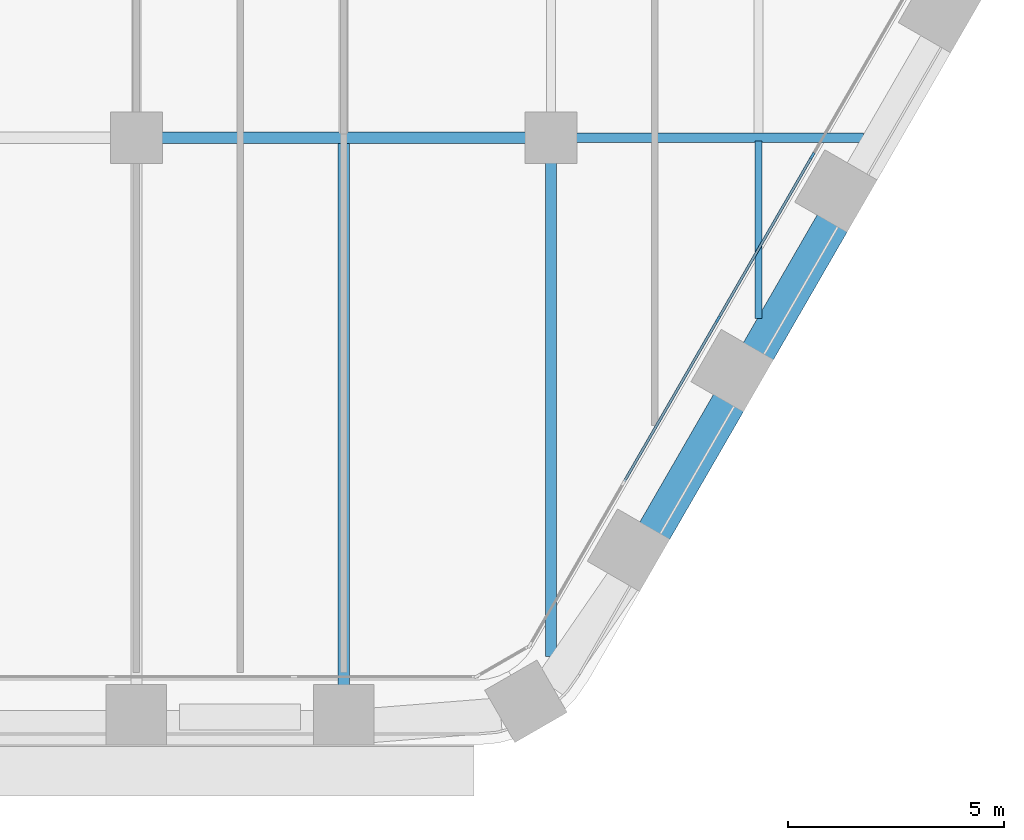
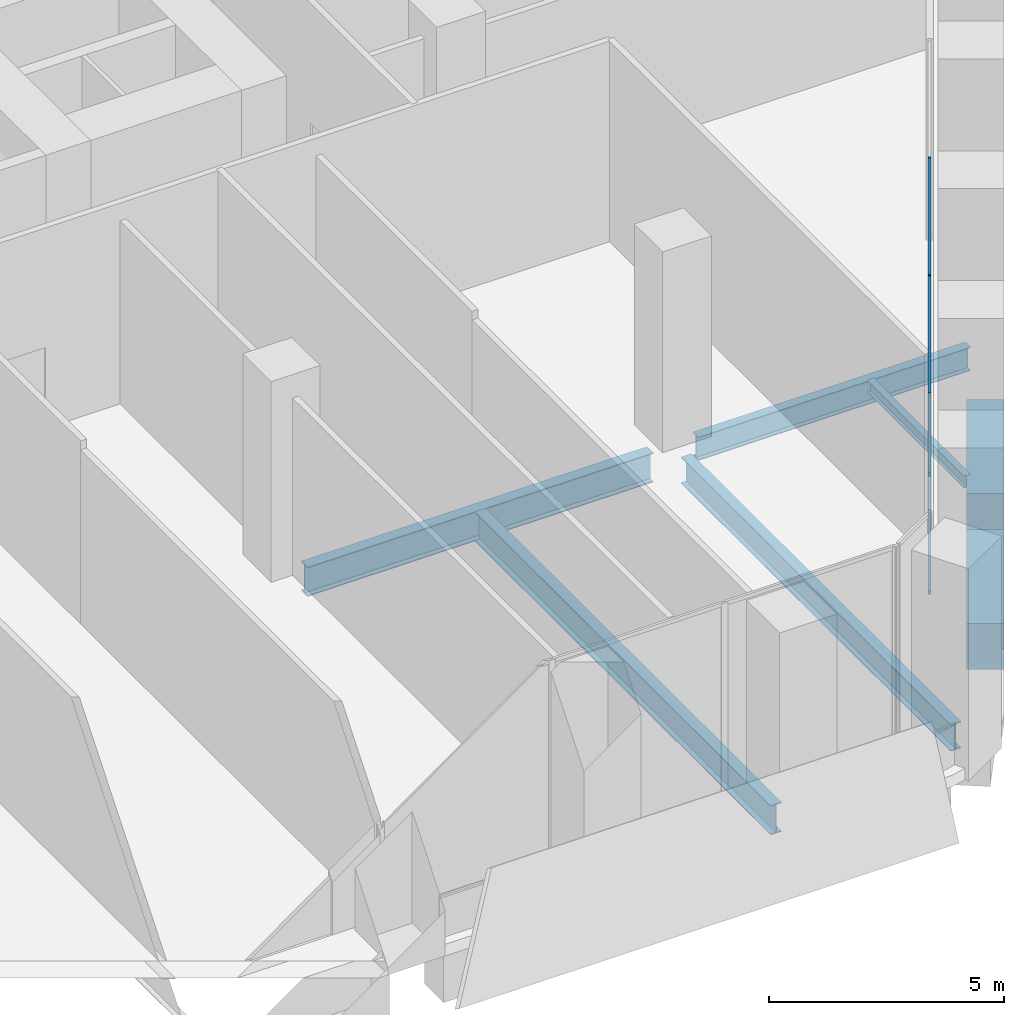
# One storey, part 5 of 27: 7 beams, 6 members, 1 element without a shape of its own.
"""IFC4 building model written with IfcOpenShell, lengths in metres."""

from ifc_helpers import new_model, si_unit, direction, frame, origin, origin_2d, place, context, subcontext, project, spatial, rectangle, i_section, extrude, material, material_profile, profile_set, type_object, element, aggregate, save


model = new_model("IFC4")

# Units and contexts
model_context = context("Model", 3, precision=1e-05, world=origin(), true_north=direction((0.0, 1.0)))
body_context = subcontext(model_context, "Body", "Model", "MODEL_VIEW")
ifc_project = project(units=[si_unit("LENGTHUNIT", "METRE"), si_unit("AREAUNIT", "SQUARE_METRE"), si_unit("VOLUMEUNIT", "CUBIC_METRE"), si_unit("PLANEANGLEUNIT", "RADIAN"), si_unit("MASSUNIT", "GRAM", prefix="KILO")], contexts=[model_context])

# Site, building, storey
site_placement = place(None, origin())
site = spatial("IfcSite", under=ifc_project, at=site_placement, CompositionType="ELEMENT")
building_placement = place(site_placement, origin())
building = spatial("IfcBuilding", under=site, at=building_placement, Name="Kolab Exchange Tower", CompositionType="ELEMENT")
storey_placement = place(building_placement, frame((0.0, 0.0, 66.39990234375)))
storey = spatial("IfcBuildingStorey", under=building, at=storey_placement, Name="L12", CompositionType="ELEMENT", Elevation=66.39990234375)

# Beams
ifc_material_1 = material(Name="Steel S355", Category="steel")
ifc_material_profile_1 = material_profile(ifc_material_1, i_section(OverallWidth=0.1650390625, OverallDepth=0.31005859375, WebThickness=0.005859375, FlangeThickness=0.009765625, at=origin_2d()), Name="W310X39")
ifc_profile_set_1 = profile_set([ifc_material_profile_1], Name="Steel S355")
beam_type_1 = type_object("IfcBeamType", Name="FLOOR BEAM W310X39", PredefinedType="BEAM", material=ifc_profile_set_1)
beam_1_placement = place(storey_placement, frame((24.0, -23.381591796875, -0.454833984375), z_axis=(0.0, 1.0, 0.0), x_axis=(-1.0, 0.0, 0.0)))
element("IfcBeam", 1, at=beam_1_placement, inside=storey, type_object=beam_type_1, Name="beam/L12/fr/052", PredefinedType="BEAM", context=body_context, shape_type="SweptSolid", body=[
    extrude(i_section(OverallWidth=0.1650390625, OverallDepth=0.31005859375, WebThickness=0.005859375, FlangeThickness=0.009765625, at=origin_2d()), origin(), (0.0, 0.0, 1.0), 4.107666015625),
])
ifc_material_profile_2 = material_profile(ifc_material_1, i_section(OverallWidth=0.25390625, OverallDepth=0.68408203125, WebThickness=0.012451171875, FlangeThickness=0.018798828125, at=origin_2d()), Name="W690X140")
ifc_profile_set_2 = profile_set([ifc_material_profile_2], Name="Steel S355")
beam_type_2 = type_object("IfcBeamType", Name="FLOOR BEAM W690X140", PredefinedType="BEAM", material=ifc_profile_set_2)
beam_2_placement = place(storey_placement, frame((19.199951171875, -31.214599609375, -0.641845703125), z_axis=(0.0, 1.0, 0.0), x_axis=(-1.0, 0.0, 0.0)))
element("IfcBeam", 2, at=beam_2_placement, inside=storey, type_object=beam_type_2, Name="beam/L12/fr/046", PredefinedType="BEAM", context=body_context, shape_type="SweptSolid", body=[
    extrude(i_section(OverallWidth=0.25390625, OverallDepth=0.68408203125, WebThickness=0.012451171875, FlangeThickness=0.018798828125, at=origin_2d()), origin(), (0.0, 0.0, 1.0), 11.45458984375),
])
ifc_material_profile_3 = material_profile(ifc_material_1, i_section(OverallWidth=0.26708984375, OverallDepth=0.761962890625, WebThickness=0.014404296875, FlangeThickness=0.021484375, at=origin_2d()), Name="W760X173")
ifc_profile_set_3 = profile_set([ifc_material_profile_3], Name="Steel S355")
beam_type_3 = type_object("IfcBeamType", Name="FLOOR BEAM W760X173", PredefinedType="BEAM", material=ifc_profile_set_3)
beam_3_placement = place(storey_placement, frame((14.39990234375, -31.8955078125, -0.680908203125), z_axis=(0.0, 1.0, 0.0), x_axis=(-1.0, 0.0, 0.0)))
element("IfcBeam", 3, at=beam_3_placement, inside=storey, type_object=beam_type_3, Name="beam/L12/fr/042", PredefinedType="BEAM", context=body_context, shape_type="SweptSolid", body=[
    extrude(i_section(OverallWidth=0.26708984375, OverallDepth=0.761962890625, WebThickness=0.014404296875, FlangeThickness=0.021484375, at=origin_2d()), origin(), (0.0, 0.0, 1.0), 12.60205078125),
])
ifc_material_profile_4 = material_profile(ifc_material_1, i_section(OverallWidth=0.22802734375, OverallDepth=0.60791015625, WebThickness=0.01123046875, FlangeThickness=0.017333984375, at=origin_2d()), Name="W610X113")
ifc_profile_set_4 = profile_set([ifc_material_profile_4], Name="Steel S355")
beam_type_4 = type_object("IfcBeamType", Name="FLOOR GIRDER W610X113", PredefinedType="BEAM", material=ifc_profile_set_4)
beam_4_placement = place(storey_placement, frame((19.760009765625, -19.199951171875, -0.60400390625), z_axis=(1.0, 0.0, 0.0), x_axis=(0.0, 1.0, 0.0)))
element("IfcBeam", 4, at=beam_4_placement, inside=storey, type_object=beam_type_4, Name="beam/L12/gd/020", PredefinedType="BEAM", context=body_context, shape_type="SweptSolid", body=[
    extrude(i_section(OverallWidth=0.22802734375, OverallDepth=0.60791015625, WebThickness=0.01123046875, FlangeThickness=0.017333984375, at=origin_2d()), origin(), (0.0, 0.0, 1.0), 6.671142578125),
])
ifc_material_profile_5 = material_profile(ifc_material_1, i_section(OverallWidth=0.26708984375, OverallDepth=0.761962890625, WebThickness=0.014404296875, FlangeThickness=0.021484375, at=origin_2d()), Name="W760X173")
ifc_profile_set_5 = profile_set([ifc_material_profile_5], Name="Steel S355")
beam_type_5 = type_object("IfcBeamType", Name="FLOOR GIRDER W760X173", PredefinedType="BEAM", material=ifc_profile_set_5)
beam_5_placement = place(storey_placement, frame((10.159912109375, -19.199951171875, -0.680908203125), z_axis=(1.0, 0.0, 0.0), x_axis=(0.0, 1.0, 0.0)))
element("IfcBeam", 5, at=beam_5_placement, inside=storey, type_object=beam_type_5, Name="beam/L12/gd/015", PredefinedType="BEAM", context=body_context, shape_type="SweptSolid", body=[
    extrude(i_section(OverallWidth=0.26708984375, OverallDepth=0.761962890625, WebThickness=0.014404296875, FlangeThickness=0.021484375, at=origin_2d()), origin(), (0.0, 0.0, 1.0), 8.47998046875),
])
ifc_material_2 = material(Name="Concrete C80/95", Category="concrete")
ifc_material_profile_6 = material_profile(ifc_material_2, rectangle(XDim=0.800048828125, YDim=1.199951171875, at=origin_2d()), Name="RC800X1200")
ifc_profile_set_6 = profile_set([ifc_material_profile_6], Name="Concrete C80/95")
beam_type_6 = type_object("IfcBeamType", Name="SPANDREL BEAM 800X1200 C80/95", PredefinedType="BEAM", material=ifc_profile_set_6)
beam_6_placement = place(storey_placement, frame((25.7236328125, -21.15625, -0.89990234375), z_axis=(-0.500009906705, -0.86601968407, 0.0), x_axis=(0.86601968407, -0.500009906705, 0.0)))
element("IfcBeam", 6, at=beam_6_placement, inside=storey, type_object=beam_type_6, Name="beam/L12/sp/F3-06", PredefinedType="BEAM", context=body_context, shape_type="SweptSolid", body=[
    extrude(rectangle(XDim=0.800048828125, YDim=1.199951171875, at=origin_2d()), origin(), (0.0, 0.0, 1.0), 3.47998046875),
])
beam_7_placement = place(storey_placement, frame((23.323486328125, -25.31298828125, -0.89990234375), z_axis=(-0.499979528911, -0.866037222451, 0.0), x_axis=(0.866037222451, -0.499979528911, 0.0)))
element("IfcBeam", 7, at=beam_7_placement, inside=storey, type_object=beam_type_6, Name="beam/L12/sp/F3-07", PredefinedType="BEAM", context=body_context, shape_type="SweptSolid", body=[
    extrude(rectangle(XDim=0.800048828125, YDim=1.199951171875, at=origin_2d()), origin(), (0.0, 0.0, 1.0), 3.480224609375),
])

# Curtain wall, members
ifc_material_3 = material(Name="Aluminium EN AW-6063 T6", Category="aluminium")
curtain_wall_type = type_object("IfcCurtainWallType", Name="UNITISED LOW ZONE CURTAIN WALL", PredefinedType="NOTDEFINED", material=ifc_material_3)
curtain_wall_placement = place(storey_placement, origin())
curtain_wall = element("IfcCurtainWall", 8, at=curtain_wall_placement, inside=storey, type_object=curtain_wall_type, Name="cw/L12/F3-2", PredefinedType="NOTDEFINED")
ifc_material_profile_7 = material_profile(ifc_material_3, rectangle(XDim=0.06005859375, YDim=0.159912109375, at=origin_2d()), Name="RECT 60X160")
ifc_profile_set_7 = profile_set([ifc_material_profile_7], Name="Aluminium EN AW-6063 T6")
member_type_1 = type_object("IfcMemberType", Name="UNITISED LOW ZONE MULLION 60 X 160", PredefinedType="MULLION", material=ifc_profile_set_7)
member_1_placement = place(storey_placement, frame((25.248291015625, -19.61962890625, 0.0), z_axis=(0.0, 0.0, 1.0), x_axis=(0.866025397318, -0.5000000112, 0.0)))
member_1 = element("IfcMember", 9, at=member_1_placement, type_object=member_type_1, Name="CW1 mullion 2", PredefinedType="MULLION", context=body_context, shape_type="SweptSolid", body=[
    extrude(rectangle(XDim=0.06005859375, YDim=0.159912109375, at=origin_2d()), origin(), (0.0, 0.0, 1.0), 5.2001953125),
])
member_2_placement = place(storey_placement, frame((23.064697265625, -23.401611328125, 0.0), z_axis=(0.0, 0.0, 1.0), x_axis=(0.866025397318, -0.5000000112, 0.0)))
member_2 = element("IfcMember", 10, at=member_2_placement, type_object=member_type_1, Name="CW1 mullion 3", PredefinedType="MULLION", context=body_context, shape_type="SweptSolid", body=[
    extrude(rectangle(XDim=0.06005859375, YDim=0.159912109375, at=origin_2d()), origin(), (0.0, 0.0, 1.0), 5.2001953125),
])
ifc_material_profile_8 = material_profile(ifc_material_3, rectangle(XDim=0.06005859375, YDim=0.10009765625, at=origin_2d()), Name="RECT 60X100")
ifc_profile_set_8 = profile_set([ifc_material_profile_8], Name="Aluminium EN AW-6063 T6")
member_type_2 = type_object("IfcMemberType", Name="UNITISED LOW ZONE TRANSOM 60 X 100", PredefinedType="USERDEFINED", material=ifc_profile_set_8)
member_3_placement = place(storey_placement, frame((25.233154296875, -19.6455078125, 0.030029296875), z_axis=(-0.500010313095, -0.866019449435, 0.0), x_axis=(0.866019449435, -0.500010313095, 0.0)))
member_3 = element("IfcMember", 11, at=member_3_placement, type_object=member_type_2, Name="CW1 transom 2.1", ObjectType="TRANSOM", PredefinedType="USERDEFINED", context=body_context, shape_type="SweptSolid", body=[
    extrude(rectangle(XDim=0.06005859375, YDim=0.10009765625, at=origin_2d()), origin(), (0.0, 0.0, 1.0), 4.30712890625),
])
member_4_placement = place(storey_placement, frame((25.233154296875, -19.6455078125, 5.170166015625), z_axis=(-0.500010313095, -0.866019449435, 0.0), x_axis=(0.866019449435, -0.500010313095, 0.0)))
member_4 = element("IfcMember", 12, at=member_4_placement, type_object=member_type_2, Name="CW1 transom 2.2", ObjectType="TRANSOM", PredefinedType="USERDEFINED", context=body_context, shape_type="SweptSolid", body=[
    extrude(rectangle(XDim=0.06005859375, YDim=0.10009765625, at=origin_2d()), origin(), (0.0, 0.0, 1.0), 4.30712890625),
])
member_5_placement = place(storey_placement, frame((23.0498046875, -23.427490234375, 0.030029296875), z_axis=(-0.500010313095, -0.866019449435, 0.0), x_axis=(0.866019449435, -0.500010313095, 0.0)))
member_5 = element("IfcMember", 13, at=member_5_placement, type_object=member_type_2, Name="CW1 transom 3.1", ObjectType="TRANSOM", PredefinedType="USERDEFINED", context=body_context, shape_type="SweptSolid", body=[
    extrude(rectangle(XDim=0.06005859375, YDim=0.10009765625, at=origin_2d()), origin(), (0.0, 0.0, 1.0), 4.30712890625),
])
member_6_placement = place(storey_placement, frame((23.0498046875, -23.427490234375, 5.170166015625), z_axis=(-0.500010313095, -0.866019449435, 0.0), x_axis=(0.866019449435, -0.500010313095, 0.0)))
member_6 = element("IfcMember", 14, at=member_6_placement, type_object=member_type_2, Name="CW1 transom 3.2", ObjectType="TRANSOM", PredefinedType="USERDEFINED", context=body_context, shape_type="SweptSolid", body=[
    extrude(rectangle(XDim=0.06005859375, YDim=0.10009765625, at=origin_2d()), origin(), (0.0, 0.0, 1.0), 4.30712890625),
])
aggregate(curtain_wall, [member_1, member_2, member_3, member_4, member_5, member_6])

save(model, "model.ifc")
